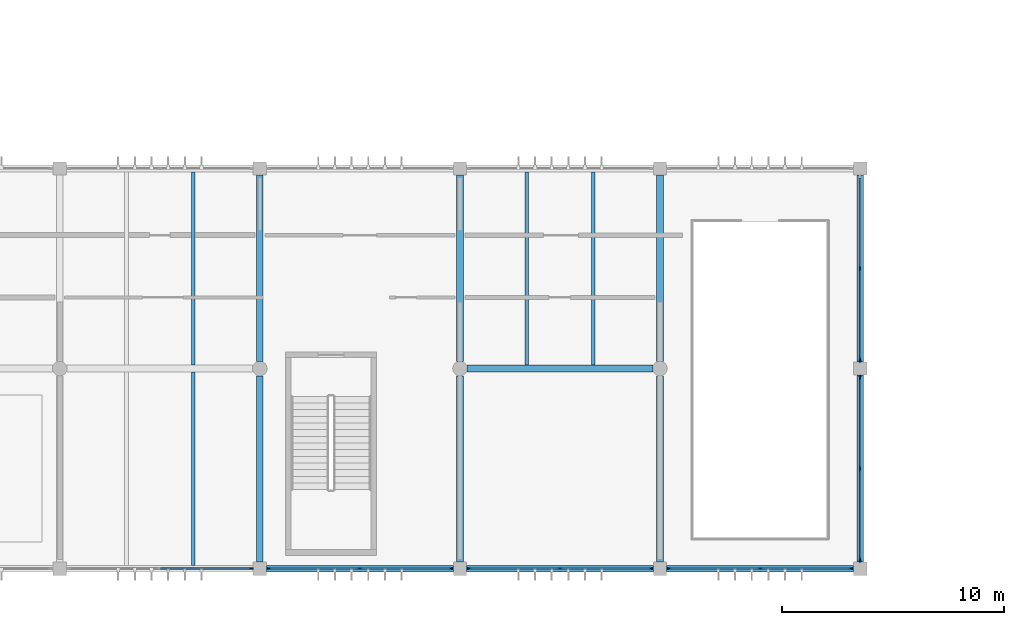
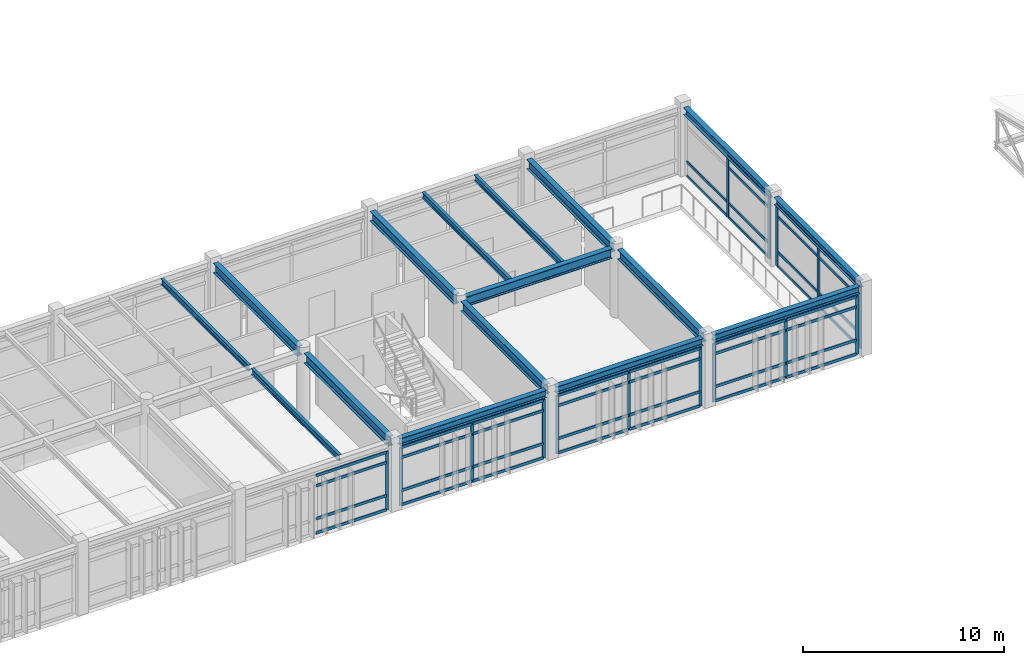
# One storey, part 10 of 55: 57 members, 16 beams, 6 elements without a shape of their own.
"""IFC4 building model written with IfcOpenShell, lengths in metres."""

from ifc_helpers import new_model, si_unit, direction, frame, origin, origin_2d, place, context, subcontext, project, spatial, rectangle, i_section, extrude, material, material_profile, profile_set, type_object, element, aggregate, save


model = new_model("IFC4")

# Units and contexts
model_context = context("Model", 3, precision=1e-05, world=origin(), true_north=direction((0.0, 1.0)))
body_context = subcontext(model_context, "Body", "Model", "MODEL_VIEW")
ifc_project = project(units=[si_unit("LENGTHUNIT", "METRE"), si_unit("AREAUNIT", "SQUARE_METRE"), si_unit("VOLUMEUNIT", "CUBIC_METRE"), si_unit("PLANEANGLEUNIT", "RADIAN"), si_unit("MASSUNIT", "GRAM", prefix="KILO")], contexts=[model_context])

# Site, building, storey
site_placement = place(None, origin())
site = spatial("IfcSite", under=ifc_project, at=site_placement, CompositionType="ELEMENT")
building_placement = place(site_placement, origin())
building = spatial("IfcBuilding", under=site, at=building_placement, Name="Bozkorgan Art Gallery", CompositionType="ELEMENT")
storey_placement = place(building_placement, frame((0.0, 0.0, 15.0)))
storey = spatial("IfcBuildingStorey", under=building, at=storey_placement, Name="L03", CompositionType="ELEMENT", Elevation=15.0)

# Beams
ifc_material_1 = material(Name="Steel S355J2", Category="steel")
ifc_material_profile_1 = material_profile(ifc_material_1, i_section(OverallWidth=0.300048828125, OverallDepth=0.590087890625, WebThickness=0.012939453125, FlangeThickness=0.02490234375, FilletRadius=0.027099609375, at=origin_2d()), Name="HEA 600")
ifc_profile_set_1 = profile_set([ifc_material_profile_1], Name="Steel S355J2")
beam_type_1 = type_object("IfcBeamType", Name="BEAM-BM-49", PredefinedType="BEAM", material=ifc_profile_set_1)
beam_placement = place(storey_placement, frame((47.324951171875, 11.0, 3.885009765625), z_axis=(1.0, 0.0, 0.0), x_axis=(0.0, 1.0, 0.0)))
element("IfcBeam", 1, at=beam_placement, inside=storey, type_object=beam_type_1, Name="V1 L03 beam X (47-56, 11.0)", PredefinedType="BEAM", context=body_context, shape_type="SweptSolid", body=[
    extrude(i_section(OverallWidth=0.300048828125, OverallDepth=0.590087890625, WebThickness=0.012939453125, FlangeThickness=0.02490234375, FilletRadius=0.027099609375, at=origin_2d()), origin(), (0.0, 0.0, 1.0), 8.35009765625),
])
for number, where, z_axis, x_axis, name in (
    (2, (38.0, 2.300048828125, 3.885009765625), (0.0, 1.0, 0.0), (-1.0, 0.0, 0.0), "V1 L03 beam Y (38, 2.0-11.0)"),
    (3, (38.0, 11.324951171875, 3.885009765625), (0.0, 1.0, 0.0), (-1.0, 0.0, 0.0), "V1 L03 beam Y (38, 11.0-20.0)"),
    (4, (47.0, 2.300048828125, 3.885009765625), (0.0, 1.0, 0.0), (-1.0, 0.0, 0.0), "V1 L03 beam Y (47, 2.0-11.0)"),
    (5, (47.0, 11.324951171875, 3.885009765625), (0.0, 1.0, 0.0), (-1.0, 0.0, 0.0), "V1 L03 beam Y (47, 11.0-20.0)"),
    (6, (56.0, 2.300048828125, 3.885009765625), (0.0, 1.0, 0.0), (-1.0, 0.0, 0.0), "V1 L03 beam Y (56, 2.0-11.0)"),
    (7, (56.0, 11.324951171875, 3.885009765625), (0.0, 1.0, 0.0), (-1.0, 0.0, 0.0), "V1 L03 beam Y (56, 11.0-20.0)"),
):
    element("IfcBeam", number, at=place(storey_placement, frame(where, z_axis=z_axis, x_axis=x_axis)), inside=storey, type_object=beam_type_1, Name=name, PredefinedType="BEAM", context=body_context, shape_type="SweptSolid", body=[
        extrude(i_section(OverallWidth=0.300048828125, OverallDepth=0.590087890625, WebThickness=0.012939453125, FlangeThickness=0.02490234375, FilletRadius=0.027099609375, at=origin_2d()), origin(), (0.0, 0.0, 1.0), 8.375),
    ])
ifc_material_profile_2 = material_profile(ifc_material_1, i_section(OverallWidth=0.169921875, OverallDepth=0.360107421875, WebThickness=0.008056640625, FlangeThickness=0.0126953125, FilletRadius=0.01806640625, at=origin_2d()), Name="IPE 360")
ifc_profile_set_2 = profile_set([ifc_material_profile_2], Name="Steel S355J2")
beam_type_2 = type_object("IfcBeamType", Name="BEAM-JS-98", PredefinedType="JOIST", material=ifc_profile_set_2)
for number, where, z_axis, x_axis, name in (
    (8, (35.0, 2.14990234375, 4.0), (0.0, 1.0, 0.0), (-1.0, 0.0, 0.0), "V1 L03 secondary joist (29-38, 2.0-11.0) #2"),
    (9, (35.0, 11.14990234375, 4.0), (0.0, 1.0, 0.0), (-1.0, 0.0, 0.0), "V1 L03 secondary joist (29-38, 11.0-20.0) #2"),
    (10, (50.0, 11.14990234375, 4.0), (0.0, 1.0, 0.0), (-1.0, 0.0, 0.0), "V1 L03 secondary joist (47-56, 11.0-20.0) #1"),
    (11, (53.0, 11.14990234375, 4.0), (0.0, 1.0, 0.0), (-1.0, 0.0, 0.0), "V1 L03 secondary joist (47-56, 11.0-20.0) #2"),
):
    element("IfcBeam", number, at=place(storey_placement, frame(where, z_axis=z_axis, x_axis=x_axis)), inside=storey, type_object=beam_type_2, Name=name, PredefinedType="JOIST", context=body_context, shape_type="SweptSolid", body=[
        extrude(i_section(OverallWidth=0.169921875, OverallDepth=0.360107421875, WebThickness=0.008056640625, FlangeThickness=0.0126953125, FilletRadius=0.01806640625, at=origin_2d()), origin(), (0.0, 0.0, 1.0), 8.7001953125),
    ])
ifc_material_profile_3 = material_profile(ifc_material_1, i_section(OverallWidth=0.300048828125, OverallDepth=0.43994140625, WebThickness=0.011474609375, FlangeThickness=0.02099609375, FilletRadius=0.027099609375, at=origin_2d()), Name="HEA 450")
ifc_profile_set_3 = profile_set([ifc_material_profile_3], Name="Steel S355J2")
beam_type_3 = type_object("IfcBeamType", Name="BEAM-SP-34", PredefinedType="SPANDREL", material=ifc_profile_set_3)
for number, where, z_axis, x_axis, name in (
    (12, (38.300048828125, 2.0, 3.9599609375), (1.0, 0.0, 0.0), (0.0, 1.0, 0.0), "V1 L03 spandrel X (38-47, 2.0)"),
    (13, (47.300048828125, 2.0, 3.9599609375), (1.0, 0.0, 0.0), (0.0, 1.0, 0.0), "V1 L03 spandrel X (47-56, 2.0)"),
    (14, (56.300048828125, 2.0, 3.9599609375), (1.0, 0.0, 0.0), (0.0, 1.0, 0.0), "V1 L03 spandrel X (56-65, 2.0)"),
    (15, (65.0, 2.300048828125, 3.9599609375), (0.0, 1.0, 0.0), (-1.0, 0.0, 0.0), "V1 L03 spandrel Y (65, 2.0-11.0)"),
    (16, (65.0, 11.300048828125, 3.9599609375), (0.0, 1.0, 0.0), (-1.0, 0.0, 0.0), "V1 L03 spandrel Y (65, 11.0-20.0)"),
):
    element("IfcBeam", number, at=place(storey_placement, frame(where, z_axis=z_axis, x_axis=x_axis)), inside=storey, type_object=beam_type_3, Name=name, PredefinedType="SPANDREL", context=body_context, shape_type="SweptSolid", body=[
        extrude(i_section(OverallWidth=0.300048828125, OverallDepth=0.43994140625, WebThickness=0.011474609375, FlangeThickness=0.02099609375, FilletRadius=0.027099609375, at=origin_2d()), origin(), (0.0, 0.0, 1.0), 8.39990234375),
    ])

# Curtain wall, member
ifc_material_2 = material(Name="Anodised Bronze Aluminium", Category="aluminium")
curtain_wall_type_1 = type_object("IfcCurtainWallType", Name="CW-CW-42", PredefinedType="NOTDEFINED", material=ifc_material_2)
curtain_wall_1_placement = place(storey_placement, origin())
curtain_wall_1 = element("IfcCurtainWall", 17, at=curtain_wall_1_placement, inside=storey, type_object=curtain_wall_type_1, Name="L03 unitised curtain wall CW-V1-L03-1S-07", PredefinedType="NOTDEFINED")
ifc_material_profile_4 = material_profile(ifc_material_2, rectangle(XDim=0.06494140625, YDim=0.179931640625, at=origin_2d()), Name="ALU MULLION 65x180")
ifc_profile_set_4 = profile_set([ifc_material_profile_4], Name="Anodised Bronze Aluminium")
member_type_1 = type_object("IfcMemberType", Name="CWM-01", PredefinedType="MULLION", material=ifc_profile_set_4)
member_1_placement = place(storey_placement, frame((37.6025390625, 2.0, 0.02001953125), z_axis=(0.0, 0.0, 1.0), x_axis=(0.0, 1.0, 0.0)))
member_1 = element("IfcMember", 18, at=member_1_placement, type_object=member_type_1, Name="CW-42 mullion 3", PredefinedType="MULLION", context=body_context, shape_type="SweptSolid", body=[
    extrude(rectangle(XDim=0.06494140625, YDim=0.179931640625, at=origin_2d()), origin(), (0.0, 0.0, 1.0), 3.554931640625),
])

# Curtain wall, members
curtain_wall_2_placement = place(storey_placement, origin())
curtain_wall_2 = element("IfcCurtainWall", 19, at=curtain_wall_2_placement, inside=storey, type_object=curtain_wall_type_1, Name="L03 unitised curtain wall CW-V1-L03-1S-09", PredefinedType="NOTDEFINED")
member_2_placement = place(storey_placement, frame((38.3974609375, 2.0, 0.02001953125), z_axis=(0.0, 0.0, 1.0), x_axis=(0.0, 1.0, 0.0)))
member_2 = element("IfcMember", 20, at=member_2_placement, type_object=member_type_1, Name="CW-42 mullion 1", PredefinedType="MULLION", context=body_context, shape_type="SweptSolid", body=[
    extrude(rectangle(XDim=0.06494140625, YDim=0.179931640625, at=origin_2d()), origin(), (0.0, 0.0, 1.0), 3.554931640625),
])
member_3_placement = place(storey_placement, frame((42.5, 2.0, 0.02001953125), z_axis=(0.0, 0.0, 1.0), x_axis=(0.0, 1.0, 0.0)))
member_3 = element("IfcMember", 21, at=member_3_placement, type_object=member_type_1, Name="CW-42 mullion 2", PredefinedType="MULLION", context=body_context, shape_type="SweptSolid", body=[
    extrude(rectangle(XDim=0.06494140625, YDim=0.179931640625, at=origin_2d()), origin(), (0.0, 0.0, 1.0), 3.554931640625),
])
member_4_placement = place(storey_placement, frame((46.6025390625, 2.0, 0.02001953125), z_axis=(0.0, 0.0, 1.0), x_axis=(0.0, 1.0, 0.0)))
member_4 = element("IfcMember", 22, at=member_4_placement, type_object=member_type_1, Name="CW-42 mullion 3", PredefinedType="MULLION", context=body_context, shape_type="SweptSolid", body=[
    extrude(rectangle(XDim=0.06494140625, YDim=0.179931640625, at=origin_2d()), origin(), (0.0, 0.0, 1.0), 3.554931640625),
])

curtain_wall_3_placement = place(storey_placement, origin())
curtain_wall_3 = element("IfcCurtainWall", 23, at=curtain_wall_3_placement, inside=storey, type_object=curtain_wall_type_1, Name="L03 unitised curtain wall CW-V1-L03-1S-11", PredefinedType="NOTDEFINED")
member_5_placement = place(storey_placement, frame((47.3974609375, 2.0, 0.02001953125), z_axis=(0.0, 0.0, 1.0), x_axis=(0.0, 1.0, 0.0)))
member_5 = element("IfcMember", 24, at=member_5_placement, type_object=member_type_1, Name="CW-42 mullion 1", PredefinedType="MULLION", context=body_context, shape_type="SweptSolid", body=[
    extrude(rectangle(XDim=0.06494140625, YDim=0.179931640625, at=origin_2d()), origin(), (0.0, 0.0, 1.0), 3.554931640625),
])
member_6_placement = place(storey_placement, frame((51.5, 2.0, 0.02001953125), z_axis=(0.0, 0.0, 1.0), x_axis=(0.0, 1.0, 0.0)))
member_6 = element("IfcMember", 25, at=member_6_placement, type_object=member_type_1, Name="CW-42 mullion 2", PredefinedType="MULLION", context=body_context, shape_type="SweptSolid", body=[
    extrude(rectangle(XDim=0.06494140625, YDim=0.179931640625, at=origin_2d()), origin(), (0.0, 0.0, 1.0), 3.554931640625),
])
member_7_placement = place(storey_placement, frame((55.6025390625, 2.0, 0.02001953125), z_axis=(0.0, 0.0, 1.0), x_axis=(0.0, 1.0, 0.0)))
member_7 = element("IfcMember", 26, at=member_7_placement, type_object=member_type_1, Name="CW-42 mullion 3", PredefinedType="MULLION", context=body_context, shape_type="SweptSolid", body=[
    extrude(rectangle(XDim=0.06494140625, YDim=0.179931640625, at=origin_2d()), origin(), (0.0, 0.0, 1.0), 3.554931640625),
])

curtain_wall_4_placement = place(storey_placement, origin())
curtain_wall_4 = element("IfcCurtainWall", 27, at=curtain_wall_4_placement, inside=storey, type_object=curtain_wall_type_1, Name="L03 unitised curtain wall CW-V1-L03-1S-13", PredefinedType="NOTDEFINED")
member_8_placement = place(storey_placement, frame((56.3974609375, 2.0, 0.02001953125), z_axis=(0.0, 0.0, 1.0), x_axis=(0.0, 1.0, 0.0)))
member_8 = element("IfcMember", 28, at=member_8_placement, type_object=member_type_1, Name="CW-42 mullion 1", PredefinedType="MULLION", context=body_context, shape_type="SweptSolid", body=[
    extrude(rectangle(XDim=0.06494140625, YDim=0.179931640625, at=origin_2d()), origin(), (0.0, 0.0, 1.0), 3.554931640625),
])
member_9_placement = place(storey_placement, frame((60.5, 2.0, 0.02001953125), z_axis=(0.0, 0.0, 1.0), x_axis=(0.0, 1.0, 0.0)))
member_9 = element("IfcMember", 29, at=member_9_placement, type_object=member_type_1, Name="CW-42 mullion 2", PredefinedType="MULLION", context=body_context, shape_type="SweptSolid", body=[
    extrude(rectangle(XDim=0.06494140625, YDim=0.179931640625, at=origin_2d()), origin(), (0.0, 0.0, 1.0), 3.554931640625),
])
member_10_placement = place(storey_placement, frame((64.6025390625, 2.0, 0.02001953125), z_axis=(0.0, 0.0, 1.0), x_axis=(0.0, 1.0, 0.0)))
member_10 = element("IfcMember", 30, at=member_10_placement, type_object=member_type_1, Name="CW-42 mullion 3", PredefinedType="MULLION", context=body_context, shape_type="SweptSolid", body=[
    extrude(rectangle(XDim=0.06494140625, YDim=0.179931640625, at=origin_2d()), origin(), (0.0, 0.0, 1.0), 3.554931640625),
])

curtain_wall_type_2 = type_object("IfcCurtainWallType", Name="CW-CW-02", PredefinedType="NOTDEFINED", material=ifc_material_2)
curtain_wall_5_placement = place(storey_placement, origin())
curtain_wall_5 = element("IfcCurtainWall", 31, at=curtain_wall_5_placement, inside=storey, type_object=curtain_wall_type_2, Name="L03 unitised curtain wall CW-V1-L03-1E-16", PredefinedType="NOTDEFINED")
ifc_material_profile_5 = material_profile(ifc_material_2, rectangle(XDim=0.074951171875, YDim=0.219970703125, at=origin_2d()), Name="ALU MULLION 75x220")
ifc_profile_set_5 = profile_set([ifc_material_profile_5], Name="Anodised Bronze Aluminium")
member_type_2 = type_object("IfcMemberType", Name="CWM-02", PredefinedType="MULLION", material=ifc_profile_set_5)
member_11_placement = place(storey_placement, frame((65.0, 2.402587890625, 0.02001953125), z_axis=(0.0, 0.0, 1.0), x_axis=(-1.0, 0.0, 0.0)))
member_11 = element("IfcMember", 32, at=member_11_placement, type_object=member_type_2, Name="CW-02 mullion 1", PredefinedType="MULLION", context=body_context, shape_type="SweptSolid", body=[
    extrude(rectangle(XDim=0.074951171875, YDim=0.219970703125, at=origin_2d()), origin(), (0.0, 0.0, 1.0), 3.705078125),
])
member_12_placement = place(storey_placement, frame((65.0, 6.5, 0.02001953125), z_axis=(0.0, 0.0, 1.0), x_axis=(-1.0, 0.0, 0.0)))
member_12 = element("IfcMember", 33, at=member_12_placement, type_object=member_type_2, Name="CW-02 mullion 2", PredefinedType="MULLION", context=body_context, shape_type="SweptSolid", body=[
    extrude(rectangle(XDim=0.074951171875, YDim=0.219970703125, at=origin_2d()), origin(), (0.0, 0.0, 1.0), 3.705078125),
])
member_13_placement = place(storey_placement, frame((65.0, 10.597412109375, 0.02001953125), z_axis=(0.0, 0.0, 1.0), x_axis=(-1.0, 0.0, 0.0)))
member_13 = element("IfcMember", 34, at=member_13_placement, type_object=member_type_2, Name="CW-02 mullion 3", PredefinedType="MULLION", context=body_context, shape_type="SweptSolid", body=[
    extrude(rectangle(XDim=0.074951171875, YDim=0.219970703125, at=origin_2d()), origin(), (0.0, 0.0, 1.0), 3.705078125),
])

curtain_wall_6_placement = place(storey_placement, origin())
curtain_wall_6 = element("IfcCurtainWall", 35, at=curtain_wall_6_placement, inside=storey, type_object=curtain_wall_type_2, Name="L03 unitised curtain wall CW-V1-L03-1E-18", PredefinedType="NOTDEFINED")
member_14_placement = place(storey_placement, frame((65.0, 11.402587890625, 0.02001953125), z_axis=(0.0, 0.0, 1.0), x_axis=(-1.0, 0.0, 0.0)))
member_14 = element("IfcMember", 36, at=member_14_placement, type_object=member_type_2, Name="CW-02 mullion 1", PredefinedType="MULLION", context=body_context, shape_type="SweptSolid", body=[
    extrude(rectangle(XDim=0.074951171875, YDim=0.219970703125, at=origin_2d()), origin(), (0.0, 0.0, 1.0), 3.705078125),
])
member_15_placement = place(storey_placement, frame((65.0, 15.5, 0.02001953125), z_axis=(0.0, 0.0, 1.0), x_axis=(-1.0, 0.0, 0.0)))
member_15 = element("IfcMember", 37, at=member_15_placement, type_object=member_type_2, Name="CW-02 mullion 2", PredefinedType="MULLION", context=body_context, shape_type="SweptSolid", body=[
    extrude(rectangle(XDim=0.074951171875, YDim=0.219970703125, at=origin_2d()), origin(), (0.0, 0.0, 1.0), 3.705078125),
])

# Member
ifc_material_profile_6 = material_profile(ifc_material_2, rectangle(XDim=0.074951171875, YDim=0.169921875, at=origin_2d()), Name="ALU TRANSOM 75x170")
ifc_profile_set_6 = profile_set([ifc_material_profile_6], Name="Anodised Bronze Aluminium")
member_type_3 = type_object("IfcMemberType", Name="CWT-02", PredefinedType="USERDEFINED", material=ifc_profile_set_6)
member_16_placement = place(storey_placement, frame((33.532470703125, 2.0, 0.0576171875), z_axis=(1.0, 0.0, 0.0), x_axis=(0.0, 1.0, 0.0)))
member_16 = element("IfcMember", 38, at=member_16_placement, type_object=member_type_3, Name="CW-42 transom 2.1", ObjectType="TRANSOM", PredefinedType="USERDEFINED", context=body_context, shape_type="SweptSolid", body=[
    extrude(rectangle(XDim=0.074951171875, YDim=0.169921875, at=origin_2d()), origin(), (0.0, 0.0, 1.0), 4.03759765625),
])

member_17_placement = place(storey_placement, frame((33.532470703125, 2.0, 0.919921875), z_axis=(1.0, 0.0, 0.0), x_axis=(0.0, 1.0, 0.0)))
member_17 = element("IfcMember", 39, at=member_17_placement, type_object=member_type_3, Name="CW-42 transom 2.2", ObjectType="TRANSOM", PredefinedType="USERDEFINED", context=body_context, shape_type="SweptSolid", body=[
    extrude(rectangle(XDim=0.074951171875, YDim=0.169921875, at=origin_2d()), origin(), (0.0, 0.0, 1.0), 4.03759765625),
])

member_18_placement = place(storey_placement, frame((33.532470703125, 2.0, 2.925048828125), z_axis=(1.0, 0.0, 0.0), x_axis=(0.0, 1.0, 0.0)))
member_18 = element("IfcMember", 40, at=member_18_placement, type_object=member_type_3, Name="CW-42 transom 2.3", ObjectType="TRANSOM", PredefinedType="USERDEFINED", context=body_context, shape_type="SweptSolid", body=[
    extrude(rectangle(XDim=0.074951171875, YDim=0.169921875, at=origin_2d()), origin(), (0.0, 0.0, 1.0), 4.03759765625),
])

member_19_placement = place(storey_placement, frame((33.532470703125, 2.0, 3.53759765625), z_axis=(1.0, 0.0, 0.0), x_axis=(0.0, 1.0, 0.0)))
member_19 = element("IfcMember", 41, at=member_19_placement, type_object=member_type_3, Name="CW-42 transom 2.4", ObjectType="TRANSOM", PredefinedType="USERDEFINED", context=body_context, shape_type="SweptSolid", body=[
    extrude(rectangle(XDim=0.074951171875, YDim=0.169921875, at=origin_2d()), origin(), (0.0, 0.0, 1.0), 4.03759765625),
])

aggregate(curtain_wall_1, [member_1, member_16, member_17, member_18, member_19])

member_20_placement = place(storey_placement, frame((38.429931640625, 2.0, 0.0576171875), z_axis=(1.0, 0.0, 0.0), x_axis=(0.0, 1.0, 0.0)))
member_20 = element("IfcMember", 42, at=member_20_placement, type_object=member_type_3, Name="CW-42 transom 1.1", ObjectType="TRANSOM", PredefinedType="USERDEFINED", context=body_context, shape_type="SweptSolid", body=[
    extrude(rectangle(XDim=0.074951171875, YDim=0.169921875, at=origin_2d()), origin(), (0.0, 0.0, 1.0), 4.03759765625),
])

member_21_placement = place(storey_placement, frame((38.429931640625, 2.0, 0.919921875), z_axis=(1.0, 0.0, 0.0), x_axis=(0.0, 1.0, 0.0)))
member_21 = element("IfcMember", 43, at=member_21_placement, type_object=member_type_3, Name="CW-42 transom 1.2", ObjectType="TRANSOM", PredefinedType="USERDEFINED", context=body_context, shape_type="SweptSolid", body=[
    extrude(rectangle(XDim=0.074951171875, YDim=0.169921875, at=origin_2d()), origin(), (0.0, 0.0, 1.0), 4.03759765625),
])

member_22_placement = place(storey_placement, frame((38.429931640625, 2.0, 2.925048828125), z_axis=(1.0, 0.0, 0.0), x_axis=(0.0, 1.0, 0.0)))
member_22 = element("IfcMember", 44, at=member_22_placement, type_object=member_type_3, Name="CW-42 transom 1.3", ObjectType="TRANSOM", PredefinedType="USERDEFINED", context=body_context, shape_type="SweptSolid", body=[
    extrude(rectangle(XDim=0.074951171875, YDim=0.169921875, at=origin_2d()), origin(), (0.0, 0.0, 1.0), 4.03759765625),
])

member_23_placement = place(storey_placement, frame((38.429931640625, 2.0, 3.53759765625), z_axis=(1.0, 0.0, 0.0), x_axis=(0.0, 1.0, 0.0)))
member_23 = element("IfcMember", 45, at=member_23_placement, type_object=member_type_3, Name="CW-42 transom 1.4", ObjectType="TRANSOM", PredefinedType="USERDEFINED", context=body_context, shape_type="SweptSolid", body=[
    extrude(rectangle(XDim=0.074951171875, YDim=0.169921875, at=origin_2d()), origin(), (0.0, 0.0, 1.0), 4.03759765625),
])

member_24_placement = place(storey_placement, frame((42.532470703125, 2.0, 0.0576171875), z_axis=(1.0, 0.0, 0.0), x_axis=(0.0, 1.0, 0.0)))
member_24 = element("IfcMember", 46, at=member_24_placement, type_object=member_type_3, Name="CW-42 transom 2.1", ObjectType="TRANSOM", PredefinedType="USERDEFINED", context=body_context, shape_type="SweptSolid", body=[
    extrude(rectangle(XDim=0.074951171875, YDim=0.169921875, at=origin_2d()), origin(), (0.0, 0.0, 1.0), 4.03759765625),
])

member_25_placement = place(storey_placement, frame((42.532470703125, 2.0, 0.919921875), z_axis=(1.0, 0.0, 0.0), x_axis=(0.0, 1.0, 0.0)))
member_25 = element("IfcMember", 47, at=member_25_placement, type_object=member_type_3, Name="CW-42 transom 2.2", ObjectType="TRANSOM", PredefinedType="USERDEFINED", context=body_context, shape_type="SweptSolid", body=[
    extrude(rectangle(XDim=0.074951171875, YDim=0.169921875, at=origin_2d()), origin(), (0.0, 0.0, 1.0), 4.03759765625),
])

member_26_placement = place(storey_placement, frame((42.532470703125, 2.0, 2.925048828125), z_axis=(1.0, 0.0, 0.0), x_axis=(0.0, 1.0, 0.0)))
member_26 = element("IfcMember", 48, at=member_26_placement, type_object=member_type_3, Name="CW-42 transom 2.3", ObjectType="TRANSOM", PredefinedType="USERDEFINED", context=body_context, shape_type="SweptSolid", body=[
    extrude(rectangle(XDim=0.074951171875, YDim=0.169921875, at=origin_2d()), origin(), (0.0, 0.0, 1.0), 4.03759765625),
])

member_27_placement = place(storey_placement, frame((42.532470703125, 2.0, 3.53759765625), z_axis=(1.0, 0.0, 0.0), x_axis=(0.0, 1.0, 0.0)))
member_27 = element("IfcMember", 49, at=member_27_placement, type_object=member_type_3, Name="CW-42 transom 2.4", ObjectType="TRANSOM", PredefinedType="USERDEFINED", context=body_context, shape_type="SweptSolid", body=[
    extrude(rectangle(XDim=0.074951171875, YDim=0.169921875, at=origin_2d()), origin(), (0.0, 0.0, 1.0), 4.03759765625),
])

aggregate(curtain_wall_2, [member_2, member_3, member_4, member_20, member_21, member_22, member_23, member_24, member_25, member_26, member_27])

member_28_placement = place(storey_placement, frame((47.429931640625, 2.0, 0.0576171875), z_axis=(1.0, 0.0, 0.0), x_axis=(0.0, 1.0, 0.0)))
member_28 = element("IfcMember", 50, at=member_28_placement, type_object=member_type_3, Name="CW-42 transom 1.1", ObjectType="TRANSOM", PredefinedType="USERDEFINED", context=body_context, shape_type="SweptSolid", body=[
    extrude(rectangle(XDim=0.074951171875, YDim=0.169921875, at=origin_2d()), origin(), (0.0, 0.0, 1.0), 4.03759765625),
])

member_29_placement = place(storey_placement, frame((47.429931640625, 2.0, 0.919921875), z_axis=(1.0, 0.0, 0.0), x_axis=(0.0, 1.0, 0.0)))
member_29 = element("IfcMember", 51, at=member_29_placement, type_object=member_type_3, Name="CW-42 transom 1.2", ObjectType="TRANSOM", PredefinedType="USERDEFINED", context=body_context, shape_type="SweptSolid", body=[
    extrude(rectangle(XDim=0.074951171875, YDim=0.169921875, at=origin_2d()), origin(), (0.0, 0.0, 1.0), 4.03759765625),
])

member_30_placement = place(storey_placement, frame((47.429931640625, 2.0, 2.925048828125), z_axis=(1.0, 0.0, 0.0), x_axis=(0.0, 1.0, 0.0)))
member_30 = element("IfcMember", 52, at=member_30_placement, type_object=member_type_3, Name="CW-42 transom 1.3", ObjectType="TRANSOM", PredefinedType="USERDEFINED", context=body_context, shape_type="SweptSolid", body=[
    extrude(rectangle(XDim=0.074951171875, YDim=0.169921875, at=origin_2d()), origin(), (0.0, 0.0, 1.0), 4.03759765625),
])

member_31_placement = place(storey_placement, frame((47.429931640625, 2.0, 3.53759765625), z_axis=(1.0, 0.0, 0.0), x_axis=(0.0, 1.0, 0.0)))
member_31 = element("IfcMember", 53, at=member_31_placement, type_object=member_type_3, Name="CW-42 transom 1.4", ObjectType="TRANSOM", PredefinedType="USERDEFINED", context=body_context, shape_type="SweptSolid", body=[
    extrude(rectangle(XDim=0.074951171875, YDim=0.169921875, at=origin_2d()), origin(), (0.0, 0.0, 1.0), 4.03759765625),
])

member_32_placement = place(storey_placement, frame((51.532470703125, 2.0, 0.0576171875), z_axis=(1.0, 0.0, 0.0), x_axis=(0.0, 1.0, 0.0)))
member_32 = element("IfcMember", 54, at=member_32_placement, type_object=member_type_3, Name="CW-42 transom 2.1", ObjectType="TRANSOM", PredefinedType="USERDEFINED", context=body_context, shape_type="SweptSolid", body=[
    extrude(rectangle(XDim=0.074951171875, YDim=0.169921875, at=origin_2d()), origin(), (0.0, 0.0, 1.0), 4.03759765625),
])

member_33_placement = place(storey_placement, frame((51.532470703125, 2.0, 0.919921875), z_axis=(1.0, 0.0, 0.0), x_axis=(0.0, 1.0, 0.0)))
member_33 = element("IfcMember", 55, at=member_33_placement, type_object=member_type_3, Name="CW-42 transom 2.2", ObjectType="TRANSOM", PredefinedType="USERDEFINED", context=body_context, shape_type="SweptSolid", body=[
    extrude(rectangle(XDim=0.074951171875, YDim=0.169921875, at=origin_2d()), origin(), (0.0, 0.0, 1.0), 4.03759765625),
])

member_34_placement = place(storey_placement, frame((51.532470703125, 2.0, 2.925048828125), z_axis=(1.0, 0.0, 0.0), x_axis=(0.0, 1.0, 0.0)))
member_34 = element("IfcMember", 56, at=member_34_placement, type_object=member_type_3, Name="CW-42 transom 2.3", ObjectType="TRANSOM", PredefinedType="USERDEFINED", context=body_context, shape_type="SweptSolid", body=[
    extrude(rectangle(XDim=0.074951171875, YDim=0.169921875, at=origin_2d()), origin(), (0.0, 0.0, 1.0), 4.03759765625),
])

member_35_placement = place(storey_placement, frame((51.532470703125, 2.0, 3.53759765625), z_axis=(1.0, 0.0, 0.0), x_axis=(0.0, 1.0, 0.0)))
member_35 = element("IfcMember", 57, at=member_35_placement, type_object=member_type_3, Name="CW-42 transom 2.4", ObjectType="TRANSOM", PredefinedType="USERDEFINED", context=body_context, shape_type="SweptSolid", body=[
    extrude(rectangle(XDim=0.074951171875, YDim=0.169921875, at=origin_2d()), origin(), (0.0, 0.0, 1.0), 4.03759765625),
])

aggregate(curtain_wall_3, [member_5, member_6, member_7, member_28, member_29, member_30, member_31, member_32, member_33, member_34, member_35])

member_36_placement = place(storey_placement, frame((56.429931640625, 2.0, 0.0576171875), z_axis=(1.0, 0.0, 0.0), x_axis=(0.0, 1.0, 0.0)))
member_36 = element("IfcMember", 58, at=member_36_placement, type_object=member_type_3, Name="CW-42 transom 1.1", ObjectType="TRANSOM", PredefinedType="USERDEFINED", context=body_context, shape_type="SweptSolid", body=[
    extrude(rectangle(XDim=0.074951171875, YDim=0.169921875, at=origin_2d()), origin(), (0.0, 0.0, 1.0), 4.03759765625),
])

member_37_placement = place(storey_placement, frame((56.429931640625, 2.0, 0.919921875), z_axis=(1.0, 0.0, 0.0), x_axis=(0.0, 1.0, 0.0)))
member_37 = element("IfcMember", 59, at=member_37_placement, type_object=member_type_3, Name="CW-42 transom 1.2", ObjectType="TRANSOM", PredefinedType="USERDEFINED", context=body_context, shape_type="SweptSolid", body=[
    extrude(rectangle(XDim=0.074951171875, YDim=0.169921875, at=origin_2d()), origin(), (0.0, 0.0, 1.0), 4.03759765625),
])

member_38_placement = place(storey_placement, frame((56.429931640625, 2.0, 2.925048828125), z_axis=(1.0, 0.0, 0.0), x_axis=(0.0, 1.0, 0.0)))
member_38 = element("IfcMember", 60, at=member_38_placement, type_object=member_type_3, Name="CW-42 transom 1.3", ObjectType="TRANSOM", PredefinedType="USERDEFINED", context=body_context, shape_type="SweptSolid", body=[
    extrude(rectangle(XDim=0.074951171875, YDim=0.169921875, at=origin_2d()), origin(), (0.0, 0.0, 1.0), 4.03759765625),
])

member_39_placement = place(storey_placement, frame((56.429931640625, 2.0, 3.53759765625), z_axis=(1.0, 0.0, 0.0), x_axis=(0.0, 1.0, 0.0)))
member_39 = element("IfcMember", 61, at=member_39_placement, type_object=member_type_3, Name="CW-42 transom 1.4", ObjectType="TRANSOM", PredefinedType="USERDEFINED", context=body_context, shape_type="SweptSolid", body=[
    extrude(rectangle(XDim=0.074951171875, YDim=0.169921875, at=origin_2d()), origin(), (0.0, 0.0, 1.0), 4.03759765625),
])

member_40_placement = place(storey_placement, frame((60.532470703125, 2.0, 0.0576171875), z_axis=(1.0, 0.0, 0.0), x_axis=(0.0, 1.0, 0.0)))
member_40 = element("IfcMember", 62, at=member_40_placement, type_object=member_type_3, Name="CW-42 transom 2.1", ObjectType="TRANSOM", PredefinedType="USERDEFINED", context=body_context, shape_type="SweptSolid", body=[
    extrude(rectangle(XDim=0.074951171875, YDim=0.169921875, at=origin_2d()), origin(), (0.0, 0.0, 1.0), 4.03759765625),
])

member_41_placement = place(storey_placement, frame((60.532470703125, 2.0, 0.919921875), z_axis=(1.0, 0.0, 0.0), x_axis=(0.0, 1.0, 0.0)))
member_41 = element("IfcMember", 63, at=member_41_placement, type_object=member_type_3, Name="CW-42 transom 2.2", ObjectType="TRANSOM", PredefinedType="USERDEFINED", context=body_context, shape_type="SweptSolid", body=[
    extrude(rectangle(XDim=0.074951171875, YDim=0.169921875, at=origin_2d()), origin(), (0.0, 0.0, 1.0), 4.03759765625),
])

member_42_placement = place(storey_placement, frame((60.532470703125, 2.0, 2.925048828125), z_axis=(1.0, 0.0, 0.0), x_axis=(0.0, 1.0, 0.0)))
member_42 = element("IfcMember", 64, at=member_42_placement, type_object=member_type_3, Name="CW-42 transom 2.3", ObjectType="TRANSOM", PredefinedType="USERDEFINED", context=body_context, shape_type="SweptSolid", body=[
    extrude(rectangle(XDim=0.074951171875, YDim=0.169921875, at=origin_2d()), origin(), (0.0, 0.0, 1.0), 4.03759765625),
])

member_43_placement = place(storey_placement, frame((60.532470703125, 2.0, 3.53759765625), z_axis=(1.0, 0.0, 0.0), x_axis=(0.0, 1.0, 0.0)))
member_43 = element("IfcMember", 65, at=member_43_placement, type_object=member_type_3, Name="CW-42 transom 2.4", ObjectType="TRANSOM", PredefinedType="USERDEFINED", context=body_context, shape_type="SweptSolid", body=[
    extrude(rectangle(XDim=0.074951171875, YDim=0.169921875, at=origin_2d()), origin(), (0.0, 0.0, 1.0), 4.03759765625),
])

aggregate(curtain_wall_4, [member_8, member_9, member_10, member_36, member_37, member_38, member_39, member_40, member_41, member_42, member_43])

member_44_placement = place(storey_placement, frame((65.0, 2.43994140625, 0.0576171875), z_axis=(0.0, 1.0, 0.0), x_axis=(-1.0, 0.0, 0.0)))
member_44 = element("IfcMember", 66, at=member_44_placement, type_object=member_type_3, Name="CW-02 transom 1.1", ObjectType="TRANSOM", PredefinedType="USERDEFINED", context=body_context, shape_type="SweptSolid", body=[
    extrude(rectangle(XDim=0.074951171875, YDim=0.169921875, at=origin_2d()), origin(), (0.0, 0.0, 1.0), 4.0224609375),
])

member_45_placement = place(storey_placement, frame((65.0, 2.43994140625, 0.919921875), z_axis=(0.0, 1.0, 0.0), x_axis=(-1.0, 0.0, 0.0)))
member_45 = element("IfcMember", 67, at=member_45_placement, type_object=member_type_3, Name="CW-02 transom 1.2", ObjectType="TRANSOM", PredefinedType="USERDEFINED", context=body_context, shape_type="SweptSolid", body=[
    extrude(rectangle(XDim=0.074951171875, YDim=0.169921875, at=origin_2d()), origin(), (0.0, 0.0, 1.0), 4.0224609375),
])

member_46_placement = place(storey_placement, frame((65.0, 2.43994140625, 3.074951171875), z_axis=(0.0, 1.0, 0.0), x_axis=(-1.0, 0.0, 0.0)))
member_46 = element("IfcMember", 68, at=member_46_placement, type_object=member_type_3, Name="CW-02 transom 1.3", ObjectType="TRANSOM", PredefinedType="USERDEFINED", context=body_context, shape_type="SweptSolid", body=[
    extrude(rectangle(XDim=0.074951171875, YDim=0.169921875, at=origin_2d()), origin(), (0.0, 0.0, 1.0), 4.0224609375),
])

member_47_placement = place(storey_placement, frame((65.0, 2.43994140625, 3.6875), z_axis=(0.0, 1.0, 0.0), x_axis=(-1.0, 0.0, 0.0)))
member_47 = element("IfcMember", 69, at=member_47_placement, type_object=member_type_3, Name="CW-02 transom 1.4", ObjectType="TRANSOM", PredefinedType="USERDEFINED", context=body_context, shape_type="SweptSolid", body=[
    extrude(rectangle(XDim=0.074951171875, YDim=0.169921875, at=origin_2d()), origin(), (0.0, 0.0, 1.0), 4.0224609375),
])

member_48_placement = place(storey_placement, frame((65.0, 6.53759765625, 0.0576171875), z_axis=(0.0, 1.0, 0.0), x_axis=(-1.0, 0.0, 0.0)))
member_48 = element("IfcMember", 70, at=member_48_placement, type_object=member_type_3, Name="CW-02 transom 2.1", ObjectType="TRANSOM", PredefinedType="USERDEFINED", context=body_context, shape_type="SweptSolid", body=[
    extrude(rectangle(XDim=0.074951171875, YDim=0.169921875, at=origin_2d()), origin(), (0.0, 0.0, 1.0), 4.0224609375),
])

member_49_placement = place(storey_placement, frame((65.0, 6.53759765625, 0.919921875), z_axis=(0.0, 1.0, 0.0), x_axis=(-1.0, 0.0, 0.0)))
member_49 = element("IfcMember", 71, at=member_49_placement, type_object=member_type_3, Name="CW-02 transom 2.2", ObjectType="TRANSOM", PredefinedType="USERDEFINED", context=body_context, shape_type="SweptSolid", body=[
    extrude(rectangle(XDim=0.074951171875, YDim=0.169921875, at=origin_2d()), origin(), (0.0, 0.0, 1.0), 4.0224609375),
])

member_50_placement = place(storey_placement, frame((65.0, 6.53759765625, 3.074951171875), z_axis=(0.0, 1.0, 0.0), x_axis=(-1.0, 0.0, 0.0)))
member_50 = element("IfcMember", 72, at=member_50_placement, type_object=member_type_3, Name="CW-02 transom 2.3", ObjectType="TRANSOM", PredefinedType="USERDEFINED", context=body_context, shape_type="SweptSolid", body=[
    extrude(rectangle(XDim=0.074951171875, YDim=0.169921875, at=origin_2d()), origin(), (0.0, 0.0, 1.0), 4.0224609375),
])

member_51_placement = place(storey_placement, frame((65.0, 6.53759765625, 3.6875), z_axis=(0.0, 1.0, 0.0), x_axis=(-1.0, 0.0, 0.0)))
member_51 = element("IfcMember", 73, at=member_51_placement, type_object=member_type_3, Name="CW-02 transom 2.4", ObjectType="TRANSOM", PredefinedType="USERDEFINED", context=body_context, shape_type="SweptSolid", body=[
    extrude(rectangle(XDim=0.074951171875, YDim=0.169921875, at=origin_2d()), origin(), (0.0, 0.0, 1.0), 4.0224609375),
])

aggregate(curtain_wall_5, [member_11, member_12, member_13, member_44, member_45, member_46, member_47, member_48, member_49, member_50, member_51])

member_52_placement = place(storey_placement, frame((65.0, 11.43994140625, 0.0576171875), z_axis=(0.0, 1.0, 0.0), x_axis=(-1.0, 0.0, 0.0)))
member_52 = element("IfcMember", 74, at=member_52_placement, type_object=member_type_3, Name="CW-02 transom 1.1", ObjectType="TRANSOM", PredefinedType="USERDEFINED", context=body_context, shape_type="SweptSolid", body=[
    extrude(rectangle(XDim=0.074951171875, YDim=0.169921875, at=origin_2d()), origin(), (0.0, 0.0, 1.0), 4.0224609375),
])

member_53_placement = place(storey_placement, frame((65.0, 11.43994140625, 0.919921875), z_axis=(0.0, 1.0, 0.0), x_axis=(-1.0, 0.0, 0.0)))
member_53 = element("IfcMember", 75, at=member_53_placement, type_object=member_type_3, Name="CW-02 transom 1.2", ObjectType="TRANSOM", PredefinedType="USERDEFINED", context=body_context, shape_type="SweptSolid", body=[
    extrude(rectangle(XDim=0.074951171875, YDim=0.169921875, at=origin_2d()), origin(), (0.0, 0.0, 1.0), 4.0224609375),
])

member_54_placement = place(storey_placement, frame((65.0, 11.43994140625, 3.074951171875), z_axis=(0.0, 1.0, 0.0), x_axis=(-1.0, 0.0, 0.0)))
member_54 = element("IfcMember", 76, at=member_54_placement, type_object=member_type_3, Name="CW-02 transom 1.3", ObjectType="TRANSOM", PredefinedType="USERDEFINED", context=body_context, shape_type="SweptSolid", body=[
    extrude(rectangle(XDim=0.074951171875, YDim=0.169921875, at=origin_2d()), origin(), (0.0, 0.0, 1.0), 4.0224609375),
])

member_55_placement = place(storey_placement, frame((65.0, 11.43994140625, 3.6875), z_axis=(0.0, 1.0, 0.0), x_axis=(-1.0, 0.0, 0.0)))
member_55 = element("IfcMember", 77, at=member_55_placement, type_object=member_type_3, Name="CW-02 transom 1.4", ObjectType="TRANSOM", PredefinedType="USERDEFINED", context=body_context, shape_type="SweptSolid", body=[
    extrude(rectangle(XDim=0.074951171875, YDim=0.169921875, at=origin_2d()), origin(), (0.0, 0.0, 1.0), 4.0224609375),
])

member_56_placement = place(storey_placement, frame((65.0, 15.53759765625, 0.0576171875), z_axis=(0.0, 1.0, 0.0), x_axis=(-1.0, 0.0, 0.0)))
member_56 = element("IfcMember", 78, at=member_56_placement, type_object=member_type_3, Name="CW-02 transom 2.1", ObjectType="TRANSOM", PredefinedType="USERDEFINED", context=body_context, shape_type="SweptSolid", body=[
    extrude(rectangle(XDim=0.074951171875, YDim=0.169921875, at=origin_2d()), origin(), (0.0, 0.0, 1.0), 4.0224609375),
])

member_57_placement = place(storey_placement, frame((65.0, 15.53759765625, 0.919921875), z_axis=(0.0, 1.0, 0.0), x_axis=(-1.0, 0.0, 0.0)))
member_57 = element("IfcMember", 79, at=member_57_placement, type_object=member_type_3, Name="CW-02 transom 2.2", ObjectType="TRANSOM", PredefinedType="USERDEFINED", context=body_context, shape_type="SweptSolid", body=[
    extrude(rectangle(XDim=0.074951171875, YDim=0.169921875, at=origin_2d()), origin(), (0.0, 0.0, 1.0), 4.0224609375),
])

aggregate(curtain_wall_6, [member_14, member_15, member_52, member_53, member_54, member_55, member_56, member_57])

save(model, "model.ifc")
